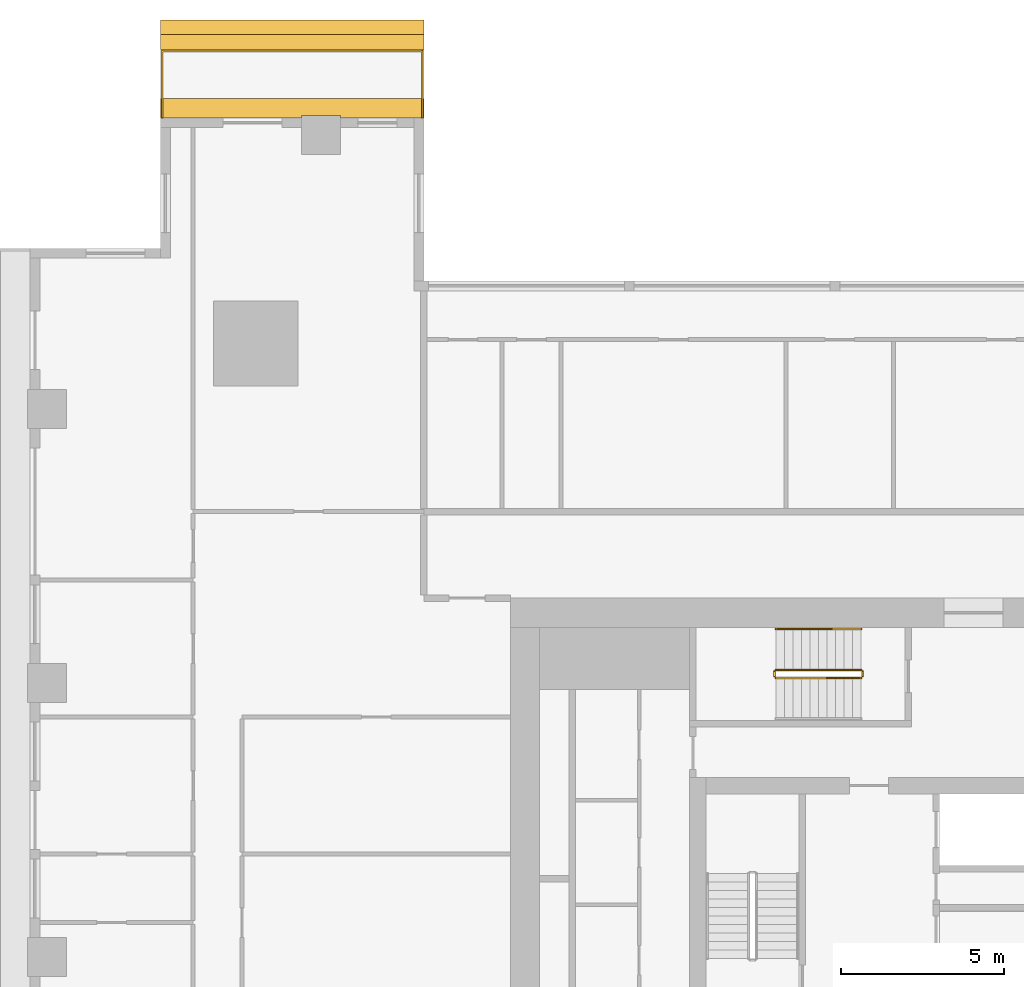
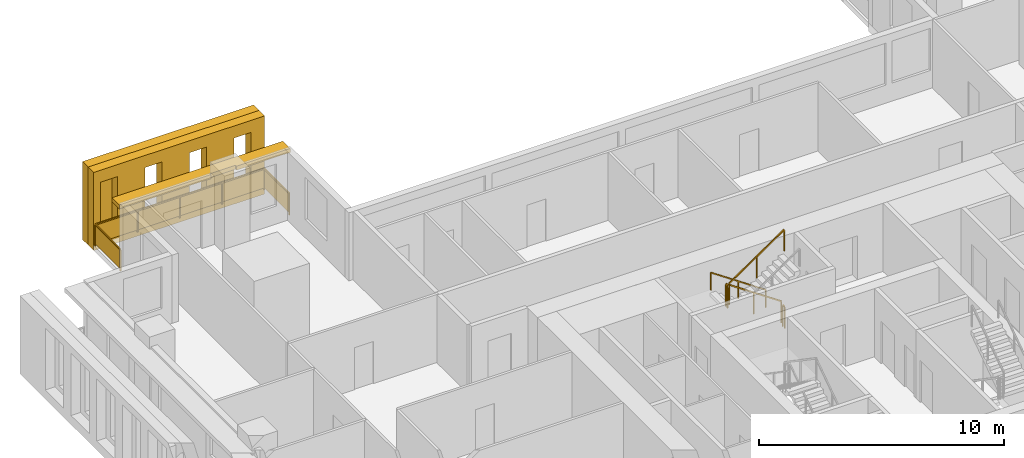
# One storey, part 15 of 16: 6 railings, 3 shading devices.
"""IFC4 building model written with IfcOpenShell, lengths in metres."""

from ifc_helpers import new_model, si_unit, direction, frame, origin, origin_2d, place, context, subcontext, project, spatial, polyline, rectangle, outline, extrude, material, layer, layer_set, type_object, element, save


model = new_model("IFC4")

# Units and contexts
model_context = context("Model", 3, precision=1e-05, world=origin(), true_north=direction((0.0, 1.0)))
body_context = subcontext(model_context, "Body", "Model", "MODEL_VIEW")
ifc_project = project(units=[si_unit("LENGTHUNIT", "METRE"), si_unit("AREAUNIT", "SQUARE_METRE"), si_unit("VOLUMEUNIT", "CUBIC_METRE"), si_unit("PLANEANGLEUNIT", "RADIAN"), si_unit("MASSUNIT", "GRAM", prefix="KILO")], contexts=[model_context])

# Site, building, storey
site_placement = place(None, origin())
site = spatial("IfcSite", under=ifc_project, at=site_placement, CompositionType="ELEMENT")
building_placement = place(site_placement, origin())
building = spatial("IfcBuilding", under=site, at=building_placement, Name="Khepri Terraces", CompositionType="ELEMENT")
storey_placement = place(building_placement, frame((0.0, 0.0, 176.699951171875)))
storey = spatial("IfcBuildingStorey", under=building, at=storey_placement, Name="L42", CompositionType="ELEMENT", Elevation=176.699951171875)

# Railings
ifc_material_1 = material(Name="Stainless steel grade 316", Category="steel")
railing_type_1 = type_object("IfcRailingType", Name="GRD-BAL-1100", PredefinedType="GUARDRAIL", material=ifc_material_1)
railing_1_placement = place(storey_placement, frame((-13.699951171875, 25.719970703125, 0.0)))
element("IfcRailing", 1, at=railing_1_placement, inside=storey, type_object=railing_type_1, Name="Balcony guard L42 N", PredefinedType="GUARDRAIL", context=body_context, shape_type="SweptSolid", body=[
    extrude(rectangle(XDim=0.050048828125, YDim=0.06005859375, at=origin_2d()), frame((0.0, 0.0, 1.070068359375), z_axis=(0.0, 1.0, 0.0), x_axis=(-1.0, 0.0, 0.0)), (0.0, 0.0, 1.0), 2.050048828125),
    extrude(rectangle(XDim=2.0, YDim=0.011962890625, at=origin_2d()), frame((0.0, 1.02490234375, 0.10009765625), z_axis=(0.0, 0.0, 1.0), x_axis=(0.0, 1.0, 0.0)), (0.0, 0.0, 1.0), 0.93994140625),
    extrude(rectangle(XDim=0.050048828125, YDim=0.06005859375, at=origin_2d()), frame((0.0, 2.050048828125, 1.070068359375), z_axis=(-1.0, 0.0, 0.0), x_axis=(0.0, -1.0, 0.0)), (0.0, 0.0, 1.0), 7.969970703125),
    extrude(rectangle(XDim=1.9423828125, YDim=0.011962890625, at=origin_2d()), frame((-0.996337890625, 2.050048828125, 0.10009765625), z_axis=(0.0, 0.0, 1.0), x_axis=(-1.0, 0.0, 0.0)), (0.0, 0.0, 1.0), 0.93994140625),
    extrude(rectangle(XDim=1.9423828125, YDim=0.011962890625, at=origin_2d()), frame((-2.98876953125, 2.050048828125, 0.10009765625), z_axis=(0.0, 0.0, 1.0), x_axis=(-1.0, 0.0, 0.0)), (0.0, 0.0, 1.0), 0.93994140625),
    extrude(rectangle(XDim=1.9423828125, YDim=0.011962890625, at=origin_2d()), frame((-4.981201171875, 2.050048828125, 0.10009765625), z_axis=(0.0, 0.0, 1.0), x_axis=(-1.0, 0.0, 0.0)), (0.0, 0.0, 1.0), 0.93994140625),
    extrude(rectangle(XDim=1.9423828125, YDim=0.011962890625, at=origin_2d()), frame((-6.9736328125, 2.050048828125, 0.10009765625), z_axis=(0.0, 0.0, 1.0), x_axis=(-1.0, 0.0, 0.0)), (0.0, 0.0, 1.0), 0.93994140625),
    extrude(rectangle(XDim=0.050048828125, YDim=0.06005859375, at=origin_2d()), frame((-7.969970703125, 2.050048828125, 1.070068359375), z_axis=(0.0, -1.0, 0.0), x_axis=(1.0, 0.0, 0.0)), (0.0, 0.0, 1.0), 2.050048828125),
    extrude(rectangle(XDim=2.0, YDim=0.011962890625, at=origin_2d()), frame((-7.969970703125, 1.02490234375, 0.10009765625), z_axis=(0.0, 0.0, 1.0), x_axis=(0.0, -1.0, 0.0)), (0.0, 0.0, 1.0), 0.93994140625),
    extrude(rectangle(XDim=0.050048828125, YDim=0.050048828125, at=origin_2d()), origin(), (0.0, 0.0, 1.0), 1.0400390625),
    extrude(rectangle(XDim=0.050048828125, YDim=0.050048828125, at=origin_2d()), frame((0.0, 2.050048828125, 0.0)), (0.0, 0.0, 1.0), 1.0400390625),
    extrude(rectangle(XDim=0.050048828125, YDim=0.050048828125, at=origin_2d()), frame((-1.992431640625, 2.050048828125, 0.0)), (0.0, 0.0, 1.0), 1.0400390625),
    extrude(rectangle(XDim=0.050048828125, YDim=0.050048828125, at=origin_2d()), frame((-3.98486328125, 2.050048828125, 0.0)), (0.0, 0.0, 1.0), 1.0400390625),
    extrude(rectangle(XDim=0.050048828125, YDim=0.050048828125, at=origin_2d()), frame((-5.9775390625, 2.050048828125, 0.0)), (0.0, 0.0, 1.0), 1.0400390625),
    extrude(rectangle(XDim=0.050048828125, YDim=0.050048828125, at=origin_2d()), frame((-7.969970703125, 2.050048828125, 0.0)), (0.0, 0.0, 1.0), 1.0400390625),
    extrude(rectangle(XDim=0.050048828125, YDim=0.050048828125, at=origin_2d()), frame((-7.969970703125, 0.0, 0.0)), (0.0, 0.0, 1.0), 1.0400390625),
])
ifc_material_2 = material(Name="Stainless steel 316", Category="steel")
railing_type_2 = type_object("IfcRailingType", Name="RL-CORE-GUARD", PredefinedType="GUARDRAIL", material=ifc_material_2)
railing_2_placement = place(storey_placement, frame((-0.25, 8.800048828125, 0.17724609375)))
element("IfcRailing", 2, at=railing_2_placement, inside=storey, type_object=railing_type_2, Name="L42 ST-3 stair guard 1", PredefinedType="GUARDRAIL", context=body_context, shape_type="SweptSolid", body=[
    extrude(rectangle(XDim=0.050048828125, YDim=0.06005859375, at=origin_2d()), frame((0.0, 0.0, 1.070068359375), z_axis=(-0.826240473404, 0.0, 0.563317565952), x_axis=(0.0, -1.0, 0.0)), (0.0, 0.0, 1.0), 3.14697265625),
    extrude(rectangle(XDim=0.050048828125, YDim=0.050048828125, at=origin_2d()), origin(), (0.0, 0.0, 1.0), 1.0400390625),
    extrude(rectangle(XDim=0.050048828125, YDim=0.050048828125, at=origin_2d()), frame((-1.300048828125, 0.0, 0.88623046875)), (0.0, 0.0, 1.0), 1.0400390625),
    extrude(rectangle(XDim=0.050048828125, YDim=0.050048828125, at=origin_2d()), frame((-2.60009765625, 0.0, 1.772705078125)), (0.0, 0.0, 1.0), 1.0400390625),
])
railing_3_placement = place(storey_placement, frame((-2.89990234375, 8.75, 1.949951171875)))
element("IfcRailing", 3, at=railing_3_placement, inside=storey, type_object=railing_type_2, Name="L42 ST-3 stair guard 2", PredefinedType="GUARDRAIL", context=body_context, shape_type="SweptSolid", body=[
    extrude(rectangle(XDim=0.050048828125, YDim=0.06005859375, at=origin_2d()), frame((0.0, 0.0, 1.070068359375), z_axis=(0.0, -1.0, 0.0), x_axis=(1.0, 0.0, 0.0)), (0.0, 0.0, 1.0), 0.14990234375),
    extrude(rectangle(XDim=0.050048828125, YDim=0.050048828125, at=origin_2d()), origin(), (0.0, 0.0, 1.0), 1.0400390625),
    extrude(rectangle(XDim=0.050048828125, YDim=0.050048828125, at=origin_2d()), frame((0.0, -0.14990234375, 0.0)), (0.0, 0.0, 1.0), 1.0400390625),
])
railing_4_placement = place(storey_placement, frame((-2.85009765625, 8.550048828125, 2.12744140625)))
element("IfcRailing", 4, at=railing_4_placement, inside=storey, type_object=railing_type_2, Name="L42 ST-3 stair guard 3", PredefinedType="GUARDRAIL", context=body_context, shape_type="SweptSolid", body=[
    extrude(rectangle(XDim=0.050048828125, YDim=0.06005859375, at=origin_2d()), frame((0.0, 0.0, 1.070068359375), z_axis=(0.826240473404, 0.0, 0.563317565952), x_axis=(0.0, 1.0, 0.0)), (0.0, 0.0, 1.0), 3.14697265625),
    extrude(rectangle(XDim=0.050048828125, YDim=0.050048828125, at=origin_2d()), origin(), (0.0, 0.0, 1.0), 1.0400390625),
    extrude(rectangle(XDim=0.050048828125, YDim=0.050048828125, at=origin_2d()), frame((1.300048828125, 0.0, 0.88623046875)), (0.0, 0.0, 1.0), 1.0400390625),
    extrude(rectangle(XDim=0.050048828125, YDim=0.050048828125, at=origin_2d()), frame((2.60009765625, 0.0, 1.772705078125)), (0.0, 0.0, 1.0), 1.0400390625),
])
railing_5_placement = place(storey_placement, frame((-0.199951171875, 8.75, 0.0)))
element("IfcRailing", 5, at=railing_5_placement, inside=storey, type_object=railing_type_2, Name="L42 ST-3 stair guard 4", PredefinedType="GUARDRAIL", context=body_context, shape_type="SweptSolid", body=[
    extrude(rectangle(XDim=0.050048828125, YDim=0.06005859375, at=origin_2d()), frame((0.0, 0.0, 1.070068359375), z_axis=(0.0, -1.0, 0.0), x_axis=(1.0, 0.0, 0.0)), (0.0, 0.0, 1.0), 0.14990234375),
    extrude(rectangle(XDim=0.050048828125, YDim=0.050048828125, at=origin_2d()), origin(), (0.0, 0.0, 1.0), 1.0400390625),
    extrude(rectangle(XDim=0.050048828125, YDim=0.050048828125, at=origin_2d()), frame((0.0, -0.14990234375, 0.0)), (0.0, 0.0, 1.0), 1.0400390625),
])
railing_type_3 = type_object("IfcRailingType", Name="RL-CORE-HANDRAIL", PredefinedType="HANDRAIL", material=ifc_material_2)
railing_6_placement = place(storey_placement, frame((-0.25, 10.050048828125, 0.17724609375)))
element("IfcRailing", 6, at=railing_6_placement, inside=storey, type_object=railing_type_3, Name="L42 ST-3 stair handrail 1", PredefinedType="HANDRAIL", context=body_context, shape_type="SweptSolid", body=[
    extrude(rectangle(XDim=0.050048828125, YDim=0.050048828125, at=origin_2d()), frame((0.0, 0.0, 0.875), z_axis=(-0.826240473404, 0.0, 0.563317565952), x_axis=(0.0, -1.0, 0.0)), (0.0, 0.0, 1.0), 3.14697265625),
    extrude(rectangle(XDim=0.050048828125, YDim=0.050048828125, at=origin_2d()), origin(), (0.0, 0.0, 1.0), 0.849853515625),
    extrude(rectangle(XDim=0.050048828125, YDim=0.050048828125, at=origin_2d()), frame((-1.300048828125, 0.0, 0.88623046875)), (0.0, 0.0, 1.0), 0.849853515625),
    extrude(rectangle(XDim=0.050048828125, YDim=0.050048828125, at=origin_2d()), frame((-2.60009765625, 0.0, 1.772705078125)), (0.0, 0.0, 1.0), 0.849853515625),
])

# Shading devices
ifc_material_3 = material(Name="Precast concrete C50/60 warm stone", Category="masonry")
shading_device_type_1 = type_object("IfcShadingDeviceType", Name="SCR-CELL-INNER-450", PredefinedType="USERDEFINED", material=ifc_material_3)
shading_device_1_placement = place(storey_placement, frame((-13.64990234375, 27.820068359375, -0.25), z_axis=(0.0, 1.0, 0.0), x_axis=(-1.0, 0.0, 0.0)))
element("IfcShadingDevice", 7, at=shading_device_1_placement, inside=storey, type_object=shading_device_type_1, Name="Cell screen L42 N in", ObjectType="SCREEN", PredefinedType="USERDEFINED", context=body_context, shape_type="SweptSolid", body=[
    extrude(outline(polyline([(0.0, 0.0), (8.070068359375, 0.0), (8.070068359375, 3.89990234375), (0.0, 3.89990234375), (0.0, 0.0)]), holes=[polyline([(0.6484375, 0.699951171875), (1.45166015625, 0.699951171875), (1.45166015625, 3.300048828125), (0.6484375, 3.300048828125), (0.6484375, 0.699951171875)]), polyline([(2.748291015625, 0.699951171875), (3.551513671875, 0.699951171875), (3.551513671875, 3.300048828125), (2.748291015625, 3.300048828125), (2.748291015625, 0.699951171875)]), polyline([(4.848388671875, 0.699951171875), (5.651611328125, 0.699951171875), (5.651611328125, 3.300048828125), (4.848388671875, 3.300048828125), (4.848388671875, 0.699951171875)]), polyline([(6.948486328125, 0.699951171875), (7.751708984375, 0.699951171875), (7.751708984375, 3.300048828125), (6.948486328125, 3.300048828125), (6.948486328125, 0.699951171875)])]), origin(), (0.0, 0.0, 1.0), 0.449951171875),
])
shading_device_type_2 = type_object("IfcShadingDeviceType", Name="SCR-CELL-OUTER-450", PredefinedType="USERDEFINED", material=ifc_material_3)
shading_device_2_placement = place(storey_placement, frame((-13.64990234375, 28.27001953125, -0.25), z_axis=(0.0, 1.0, 0.0), x_axis=(-1.0, 0.0, 0.0)))
element("IfcShadingDevice", 8, at=shading_device_2_placement, inside=storey, type_object=shading_device_type_2, Name="Cell screen L42 N out", ObjectType="SCREEN", PredefinedType="USERDEFINED", context=body_context, shape_type="SweptSolid", body=[
    extrude(outline(polyline([(0.0, 0.0), (8.070068359375, 0.0), (8.070068359375, 3.89990234375), (0.0, 3.89990234375), (0.0, 0.0)]), holes=[polyline([(0.29833984375, 0.449951171875), (1.801513671875, 0.449951171875), (1.801513671875, 3.550048828125), (0.29833984375, 3.550048828125), (0.29833984375, 0.449951171875)]), polyline([(2.3984375, 0.449951171875), (3.901611328125, 0.449951171875), (3.901611328125, 3.550048828125), (2.3984375, 3.550048828125), (2.3984375, 0.449951171875)]), polyline([(4.498291015625, 0.449951171875), (6.001708984375, 0.449951171875), (6.001708984375, 3.550048828125), (4.498291015625, 3.550048828125), (4.498291015625, 0.449951171875)])]), origin(), (0.0, 0.0, 1.0), 0.449951171875),
])
ifc_layer = layer(ifc_material_3, 0.199951171875, Name="Precast concrete C50/60 warm stone", Category="masonry")
ifc_layer_set = layer_set([ifc_layer], Name="Precast concrete C50/60 warm stone")
shading_device_type_3 = type_object("IfcShadingDeviceType", Name="SSH-BAND-STONE-200-N", PredefinedType="USERDEFINED", material=ifc_layer_set)
shading_device_3_placement = place(storey_placement, frame((0.0, 0.0, 3.10009765625)))
element("IfcShadingDevice", 9, at=shading_device_3_placement, inside=storey, type_object=shading_device_type_3, Name="Sunshade band L42 N", ObjectType="SUNSHADE", PredefinedType="USERDEFINED", context=body_context, shape_type="SweptSolid", body=[
    extrude(outline(polyline([(-16.199951171875, 25.719970703125), (-13.64990234375, 25.719970703125), (-13.64990234375, 26.320068359375), (-21.719970703125, 26.320068359375), (-21.719970703125, 25.719970703125), (-17.39990234375, 25.719970703125), (-17.39990234375, 25.800048828125), (-16.199951171875, 25.800048828125), (-16.199951171875, 25.719970703125)])), origin(), (0.0, 0.0, 1.0), 0.199951171875),
])

save(model, "model.ifc")
